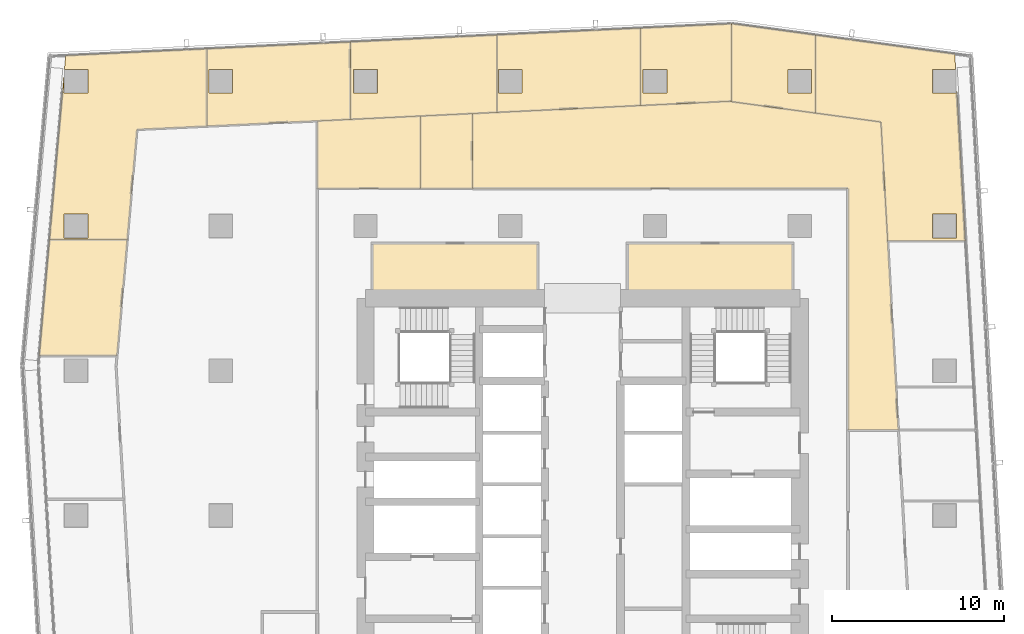
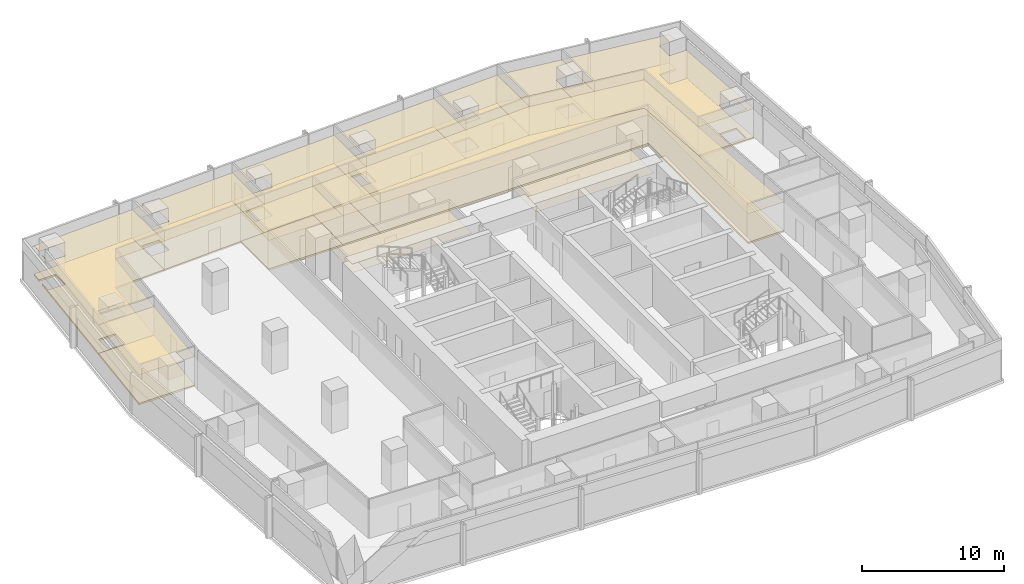
# One storey, part 39 of 39: 24 coverings.
"""IFC4 building model written with IfcOpenShell, lengths in metres."""

from ifc_helpers import new_model, si_unit, direction, frame, origin, place, context, subcontext, project, spatial, polyline, outline, extrude, material, layer, layer_set, type_object, element, save


model = new_model("IFC4")

# Units and contexts
model_context = context("Model", 3, precision=1e-05, world=origin(), true_north=direction((0.0, 1.0)))
body_context = subcontext(model_context, "Body", "Model", "MODEL_VIEW")
ifc_project = project(units=[si_unit("LENGTHUNIT", "METRE"), si_unit("AREAUNIT", "SQUARE_METRE"), si_unit("VOLUMEUNIT", "CUBIC_METRE"), si_unit("PLANEANGLEUNIT", "RADIAN"), si_unit("MASSUNIT", "GRAM", prefix="KILO")], contexts=[model_context])

# Site, building, storey
site_placement = place(None, origin())
site = spatial("IfcSite", under=ifc_project, at=site_placement, CompositionType="ELEMENT")
building_placement = place(site_placement, origin())
building = spatial("IfcBuilding", under=site, at=building_placement, Name="Rekha Terrace Tower", CompositionType="ELEMENT")
storey_placement = place(building_placement, frame((0.0, 0.0, 187.699951171875)))
storey = spatial("IfcBuildingStorey", under=building, at=storey_placement, Name="L47", CompositionType="ELEMENT", Elevation=187.699951171875)

# Coverings
ifc_material_1 = material(Name="Mineral fibre tile in exposed grid", Category="finish")
ifc_layer_1 = layer(ifc_material_1, 0.02001953125)
ifc_layer_set_1 = layer_set([ifc_layer_1], Name="Mineral fibre tile in exposed grid")
covering_type_1 = type_object("IfcCoveringType", Name="CL1 600x1200 office grid ceiling", PredefinedType="CEILING", material=ifc_layer_set_1)
covering_1_placement = place(storey_placement, frame((0.0, 0.0, 2.580078125)))
element("IfcCovering", 1, at=covering_1_placement, inside=storey, type_object=covering_type_1, Name="Ceiling L47-12", PredefinedType="CEILING", context=body_context, shape_type="SweptSolid", body=[
    extrude(outline(polyline([(51.31298828125, 56.949951171875), (55.10888671875, 56.43310546875), (55.501953125, 49.52099609375), (60.009033203125, 49.52099609375), (59.51611328125, 58.2119140625), (59.489990234375, 58.2109375), (59.489990234375, 58.110107421875), (58.110107421875, 58.110107421875), (58.110107421875, 59.489990234375), (59.443115234375, 59.489990234375), (59.39208984375, 60.39208984375), (51.31298828125, 61.490966796875), (51.31298828125, 56.949951171875)]), holes=[polyline([(59.489990234375, 51.090087890625), (59.489990234375, 49.7099609375), (58.110107421875, 49.7099609375), (58.110107421875, 51.090087890625), (59.489990234375, 51.090087890625)])]), origin(), (0.0, 0.0, 1.0), 0.02001953125),
])
covering_2_placement = place(storey_placement, frame((0.0, 0.0, 2.580078125)))
element("IfcCovering", 2, at=covering_2_placement, inside=storey, type_object=covering_type_1, Name="Ceiling L47-13", PredefinedType="CEILING", context=body_context, shape_type="SweptSolid", body=[
    extrude(outline(polyline([(51.31201171875, 56.949951171875), (51.31201171875, 61.490966796875), (46.445068359375, 62.154052734375), (46.445068359375, 57.612060546875), (51.31201171875, 56.949951171875)]), holes=[polyline([(51.090087890625, 58.110107421875), (49.7099609375, 58.110107421875), (49.7099609375, 59.489990234375), (51.090087890625, 59.489990234375), (51.090087890625, 58.110107421875)])]), origin(), (0.0, 0.0, 1.0), 0.02001953125),
])
covering_3_placement = place(storey_placement, frame((0.0, 0.0, 2.580078125)))
element("IfcCovering", 3, at=covering_3_placement, inside=storey, type_object=covering_type_1, Name="Ceiling L47-14", PredefinedType="CEILING", context=body_context, shape_type="SweptSolid", body=[
    extrude(outline(polyline([(46.444091796875, 62.14697265625), (41.152099609375, 61.89404296875), (41.152099609375, 57.388916015625), (46.444091796875, 57.64208984375), (46.444091796875, 62.14697265625)]), holes=[polyline([(42.68994140625, 59.489990234375), (42.68994140625, 58.110107421875), (41.31005859375, 58.110107421875), (41.31005859375, 59.489990234375), (42.68994140625, 59.489990234375)])]), origin(), (0.0, 0.0, 1.0), 0.02001953125),
])
covering_4_placement = place(storey_placement, frame((0.0, 0.0, 2.580078125)))
element("IfcCovering", 4, at=covering_4_placement, inside=storey, type_object=covering_type_1, Name="Ceiling L47-15", PredefinedType="CEILING", context=body_context, shape_type="SweptSolid", body=[
    extrude(outline(polyline([(41.15087890625, 57.388916015625), (41.15087890625, 61.89404296875), (32.824951171875, 61.49609375), (32.824951171875, 56.990966796875), (41.15087890625, 57.388916015625)]), holes=[polyline([(34.2900390625, 58.110107421875), (32.909912109375, 58.110107421875), (32.909912109375, 59.489990234375), (34.2900390625, 59.489990234375), (34.2900390625, 58.110107421875)])]), origin(), (0.0, 0.0, 1.0), 0.02001953125),
])
covering_5_placement = place(storey_placement, frame((0.0, 0.0, 2.580078125)))
element("IfcCovering", 5, at=covering_5_placement, inside=storey, type_object=covering_type_1, Name="Ceiling L47-16", PredefinedType="CEILING", context=body_context, shape_type="SweptSolid", body=[
    extrude(outline(polyline([(32.823974609375, 56.990966796875), (32.823974609375, 61.49609375), (24.318115234375, 61.090087890625), (24.318115234375, 56.583984375), (32.823974609375, 56.990966796875)]), holes=[polyline([(25.889892578125, 58.110107421875), (24.510009765625, 58.110107421875), (24.510009765625, 59.489990234375), (25.889892578125, 59.489990234375), (25.889892578125, 58.110107421875)])]), origin(), (0.0, 0.0, 1.0), 0.02001953125),
])
covering_6_placement = place(storey_placement, frame((0.0, 0.0, 2.580078125)))
element("IfcCovering", 6, at=covering_6_placement, inside=storey, type_object=covering_type_1, Name="Ceiling L47-17", PredefinedType="CEILING", context=body_context, shape_type="SweptSolid", body=[
    extrude(outline(polyline([(24.31689453125, 56.583984375), (24.31689453125, 61.090087890625), (15.989990234375, 60.69091796875), (15.989990234375, 56.18603515625), (24.31689453125, 56.583984375)]), holes=[polyline([(17.489990234375, 59.489990234375), (17.489990234375, 58.110107421875), (16.110107421875, 58.110107421875), (16.110107421875, 59.489990234375), (17.489990234375, 59.489990234375)])]), origin(), (0.0, 0.0, 1.0), 0.02001953125),
])
covering_7_placement = place(storey_placement, frame((0.0, 0.0, 2.580078125)))
element("IfcCovering", 7, at=covering_7_placement, inside=storey, type_object=covering_type_1, Name="Ceiling L47-18", PredefinedType="CEILING", context=body_context, shape_type="SweptSolid", body=[
    extrude(outline(polyline([(7.68701171875, 59.0048828125), (6.85595703125, 49.60205078125), (11.3740234375, 49.60205078125), (11.93798828125, 55.992919921875), (15.989013671875, 56.18603515625), (15.989013671875, 60.69091796875), (7.801025390625, 60.300048828125), (7.72900390625, 59.489990234375), (9.090087890625, 59.489990234375), (9.090087890625, 58.110107421875), (7.7099609375, 58.110107421875), (7.7099609375, 59.00390625), (7.68701171875, 59.0048828125)]), holes=[polyline([(9.090087890625, 49.7099609375), (7.7099609375, 49.7099609375), (7.7099609375, 51.090087890625), (9.090087890625, 51.090087890625), (9.090087890625, 49.7099609375)])]), origin(), (0.0, 0.0, 1.0), 0.02001953125),
])
covering_8_placement = place(storey_placement, frame((0.0, 0.0, 2.580078125)))
element("IfcCovering", 8, at=covering_8_placement, inside=storey, type_object=covering_type_1, Name="Ceiling L47-19", PredefinedType="CEILING", context=body_context, shape_type="SweptSolid", body=[
    extrude(outline(polyline([(11.3740234375, 49.60107421875), (6.85595703125, 49.60107421875), (6.261962890625, 42.87109375), (10.780029296875, 42.87109375), (11.3740234375, 49.60107421875)])), origin(), (0.0, 0.0, 1.0), 0.02001953125),
])
covering_9_placement = place(storey_placement, frame((0.0, 0.0, 2.580078125)))
element("IfcCovering", 9, at=covering_9_placement, inside=storey, type_object=covering_type_1, Name="Ceiling L47-22", PredefinedType="CEILING", context=body_context, shape_type="SweptSolid", body=[
    extrude(outline(polyline([(22.39990234375, 52.574951171875), (28.39990234375, 52.574951171875), (28.39990234375, 56.780029296875), (24.02490234375, 56.570068359375), (22.39990234375, 56.492919921875), (22.39990234375, 52.574951171875)])), origin(), (0.0, 0.0, 1.0), 0.02001953125),
])
covering_10_placement = place(storey_placement, frame((0.0, 0.0, 2.580078125)))
element("IfcCovering", 10, at=covering_10_placement, inside=storey, type_object=covering_type_1, Name="Ceiling L47-23", PredefinedType="CEILING", context=body_context, shape_type="SweptSolid", body=[
    extrude(outline(polyline([(31.39990234375, 52.574951171875), (31.39990234375, 56.923095703125), (28.39990234375, 56.780029296875), (28.39990234375, 52.574951171875), (31.39990234375, 52.574951171875)])), origin(), (0.0, 0.0, 1.0), 0.02001953125),
])
covering_11_placement = place(storey_placement, frame((0.0, 0.0, 2.580078125)))
element("IfcCovering", 11, at=covering_11_placement, inside=storey, type_object=covering_type_1, Name="Ceiling L47-O2", PredefinedType="CEILING", context=body_context, shape_type="SweptSolid", body=[
    extrude(outline(polyline([(41.135986328125, 57.387939453125), (32.824951171875, 56.990966796875), (31.39990234375, 56.923095703125), (31.39990234375, 52.574951171875), (53.199951171875, 52.574951171875), (53.199951171875, 38.555908203125), (56.1240234375, 38.555908203125), (55.98095703125, 41.070068359375), (55.5009765625, 49.535888671875), (55.10888671875, 56.43310546875), (51.31201171875, 56.949951171875), (46.444091796875, 57.612060546875), (46.281005859375, 57.634033203125), (41.135986328125, 57.387939453125)])), origin(), (0.0, 0.0, 1.0), 0.02001953125),
])
ifc_material_2 = material(Name="Fibre cement board", Category="finish")
ifc_layer_2 = layer(ifc_material_2, 0.014892578125)
ifc_layer_set_2 = layer_set([ifc_layer_2], Name="Fibre cement board")
covering_type_2 = type_object("IfcCoveringType", Name="CL2 moisture-resistant board ceiling", PredefinedType="CEILING", material=ifc_layer_set_2)
covering_12_placement = place(storey_placement, frame((0.0, 0.0, 2.5849609375)))
element("IfcCovering", 12, at=covering_12_placement, inside=storey, type_object=covering_type_2, Name="Ceiling L47-WCF", PredefinedType="CEILING", context=body_context, shape_type="SweptSolid", body=[
    extrude(outline(polyline([(50.0, 49.39990234375), (40.39990234375, 49.39990234375), (40.39990234375, 46.199951171875), (50.0, 46.199951171875), (50.0, 49.39990234375)])), origin(), (0.0, 0.0, 1.0), 0.01513671875),
])
covering_13_placement = place(storey_placement, frame((0.0, 0.0, 2.5849609375)))
element("IfcCovering", 13, at=covering_13_placement, inside=storey, type_object=covering_type_2, Name="Ceiling L47-WCF2", PredefinedType="CEILING", context=body_context, shape_type="SweptSolid", body=[
    extrude(outline(polyline([(35.199951171875, 49.39990234375), (25.60009765625, 49.39990234375), (25.60009765625, 46.199951171875), (35.199951171875, 46.199951171875), (35.199951171875, 49.39990234375)])), origin(), (0.0, 0.0, 1.0), 0.01513671875),
])
ifc_material_3 = material(Name="Calcium sulphate panels on steel pedestals", Category="steel")
ifc_layer_3 = layer(ifc_material_3, 0.14990234375)
ifc_layer_set_3 = layer_set([ifc_layer_3], Name="Calcium sulphate panels on steel pedestals")
covering_type_3 = type_object("IfcCoveringType", Name="RF1 150 raised access floor", PredefinedType="FLOORING", material=ifc_layer_set_3)
covering_14_placement = place(storey_placement, origin())
element("IfcCovering", 14, at=covering_14_placement, inside=storey, type_object=covering_type_3, Name="Raised floor L47-12", PredefinedType="FLOORING", context=body_context, shape_type="SweptSolid", body=[
    extrude(outline(polyline([(51.31298828125, 56.949951171875), (55.10888671875, 56.43310546875), (55.501953125, 49.52099609375), (60.009033203125, 49.52099609375), (59.51611328125, 58.2119140625), (59.489990234375, 58.2109375), (59.489990234375, 58.110107421875), (58.110107421875, 58.110107421875), (58.110107421875, 59.489990234375), (59.443115234375, 59.489990234375), (59.39208984375, 60.39208984375), (51.31298828125, 61.490966796875), (51.31298828125, 56.949951171875)]), holes=[polyline([(59.489990234375, 51.090087890625), (59.489990234375, 49.7099609375), (58.110107421875, 49.7099609375), (58.110107421875, 51.090087890625), (59.489990234375, 51.090087890625)])]), origin(), (0.0, 0.0, 1.0), 0.150146484375),
])
covering_15_placement = place(storey_placement, origin())
element("IfcCovering", 15, at=covering_15_placement, inside=storey, type_object=covering_type_3, Name="Raised floor L47-13", PredefinedType="FLOORING", context=body_context, shape_type="SweptSolid", body=[
    extrude(outline(polyline([(51.31201171875, 56.949951171875), (51.31201171875, 61.490966796875), (46.445068359375, 62.154052734375), (46.445068359375, 57.612060546875), (51.31201171875, 56.949951171875)]), holes=[polyline([(51.090087890625, 58.110107421875), (49.7099609375, 58.110107421875), (49.7099609375, 59.489990234375), (51.090087890625, 59.489990234375), (51.090087890625, 58.110107421875)])]), origin(), (0.0, 0.0, 1.0), 0.150146484375),
])
covering_16_placement = place(storey_placement, origin())
element("IfcCovering", 16, at=covering_16_placement, inside=storey, type_object=covering_type_3, Name="Raised floor L47-14", PredefinedType="FLOORING", context=body_context, shape_type="SweptSolid", body=[
    extrude(outline(polyline([(46.444091796875, 62.14697265625), (41.152099609375, 61.89404296875), (41.152099609375, 57.388916015625), (46.444091796875, 57.64208984375), (46.444091796875, 62.14697265625)]), holes=[polyline([(42.68994140625, 59.489990234375), (42.68994140625, 58.110107421875), (41.31005859375, 58.110107421875), (41.31005859375, 59.489990234375), (42.68994140625, 59.489990234375)])]), origin(), (0.0, 0.0, 1.0), 0.150146484375),
])
covering_17_placement = place(storey_placement, origin())
element("IfcCovering", 17, at=covering_17_placement, inside=storey, type_object=covering_type_3, Name="Raised floor L47-15", PredefinedType="FLOORING", context=body_context, shape_type="SweptSolid", body=[
    extrude(outline(polyline([(41.15087890625, 57.388916015625), (41.15087890625, 61.89404296875), (32.824951171875, 61.49609375), (32.824951171875, 56.990966796875), (41.15087890625, 57.388916015625)]), holes=[polyline([(34.2900390625, 58.110107421875), (32.909912109375, 58.110107421875), (32.909912109375, 59.489990234375), (34.2900390625, 59.489990234375), (34.2900390625, 58.110107421875)])]), origin(), (0.0, 0.0, 1.0), 0.150146484375),
])
covering_18_placement = place(storey_placement, origin())
element("IfcCovering", 18, at=covering_18_placement, inside=storey, type_object=covering_type_3, Name="Raised floor L47-16", PredefinedType="FLOORING", context=body_context, shape_type="SweptSolid", body=[
    extrude(outline(polyline([(32.823974609375, 56.990966796875), (32.823974609375, 61.49609375), (24.318115234375, 61.090087890625), (24.318115234375, 56.583984375), (32.823974609375, 56.990966796875)]), holes=[polyline([(25.889892578125, 58.110107421875), (24.510009765625, 58.110107421875), (24.510009765625, 59.489990234375), (25.889892578125, 59.489990234375), (25.889892578125, 58.110107421875)])]), origin(), (0.0, 0.0, 1.0), 0.150146484375),
])
covering_19_placement = place(storey_placement, origin())
element("IfcCovering", 19, at=covering_19_placement, inside=storey, type_object=covering_type_3, Name="Raised floor L47-17", PredefinedType="FLOORING", context=body_context, shape_type="SweptSolid", body=[
    extrude(outline(polyline([(24.31689453125, 56.583984375), (24.31689453125, 61.090087890625), (15.989990234375, 60.69091796875), (15.989990234375, 56.18603515625), (24.31689453125, 56.583984375)]), holes=[polyline([(17.489990234375, 59.489990234375), (17.489990234375, 58.110107421875), (16.110107421875, 58.110107421875), (16.110107421875, 59.489990234375), (17.489990234375, 59.489990234375)])]), origin(), (0.0, 0.0, 1.0), 0.150146484375),
])
covering_20_placement = place(storey_placement, origin())
element("IfcCovering", 20, at=covering_20_placement, inside=storey, type_object=covering_type_3, Name="Raised floor L47-18", PredefinedType="FLOORING", context=body_context, shape_type="SweptSolid", body=[
    extrude(outline(polyline([(7.68701171875, 59.0048828125), (6.85595703125, 49.60205078125), (11.3740234375, 49.60205078125), (11.93798828125, 55.992919921875), (15.989013671875, 56.18603515625), (15.989013671875, 60.69091796875), (7.801025390625, 60.300048828125), (7.72900390625, 59.489990234375), (9.090087890625, 59.489990234375), (9.090087890625, 58.110107421875), (7.7099609375, 58.110107421875), (7.7099609375, 59.00390625), (7.68701171875, 59.0048828125)]), holes=[polyline([(9.090087890625, 49.7099609375), (7.7099609375, 49.7099609375), (7.7099609375, 51.090087890625), (9.090087890625, 51.090087890625), (9.090087890625, 49.7099609375)])]), origin(), (0.0, 0.0, 1.0), 0.150146484375),
])
covering_21_placement = place(storey_placement, origin())
element("IfcCovering", 21, at=covering_21_placement, inside=storey, type_object=covering_type_3, Name="Raised floor L47-19", PredefinedType="FLOORING", context=body_context, shape_type="SweptSolid", body=[
    extrude(outline(polyline([(11.3740234375, 49.60107421875), (6.85595703125, 49.60107421875), (6.261962890625, 42.87109375), (10.780029296875, 42.87109375), (11.3740234375, 49.60107421875)])), origin(), (0.0, 0.0, 1.0), 0.150146484375),
])
covering_22_placement = place(storey_placement, origin())
element("IfcCovering", 22, at=covering_22_placement, inside=storey, type_object=covering_type_3, Name="Raised floor L47-22", PredefinedType="FLOORING", context=body_context, shape_type="SweptSolid", body=[
    extrude(outline(polyline([(22.39990234375, 52.574951171875), (28.39990234375, 52.574951171875), (28.39990234375, 56.780029296875), (24.02490234375, 56.570068359375), (22.39990234375, 56.492919921875), (22.39990234375, 52.574951171875)])), origin(), (0.0, 0.0, 1.0), 0.150146484375),
])
covering_23_placement = place(storey_placement, origin())
element("IfcCovering", 23, at=covering_23_placement, inside=storey, type_object=covering_type_3, Name="Raised floor L47-23", PredefinedType="FLOORING", context=body_context, shape_type="SweptSolid", body=[
    extrude(outline(polyline([(31.39990234375, 52.574951171875), (31.39990234375, 56.923095703125), (28.39990234375, 56.780029296875), (28.39990234375, 52.574951171875), (31.39990234375, 52.574951171875)])), origin(), (0.0, 0.0, 1.0), 0.150146484375),
])
covering_24_placement = place(storey_placement, origin())
element("IfcCovering", 24, at=covering_24_placement, inside=storey, type_object=covering_type_3, Name="Raised floor L47-O2", PredefinedType="FLOORING", context=body_context, shape_type="SweptSolid", body=[
    extrude(outline(polyline([(41.135986328125, 57.387939453125), (32.824951171875, 56.990966796875), (31.39990234375, 56.923095703125), (31.39990234375, 52.574951171875), (53.199951171875, 52.574951171875), (53.199951171875, 38.555908203125), (56.1240234375, 38.555908203125), (55.98095703125, 41.070068359375), (55.5009765625, 49.535888671875), (55.10888671875, 56.43310546875), (51.31201171875, 56.949951171875), (46.444091796875, 57.612060546875), (46.281005859375, 57.634033203125), (41.135986328125, 57.387939453125)])), origin(), (0.0, 0.0, 1.0), 0.150146484375),
])

save(model, "model.ifc")
